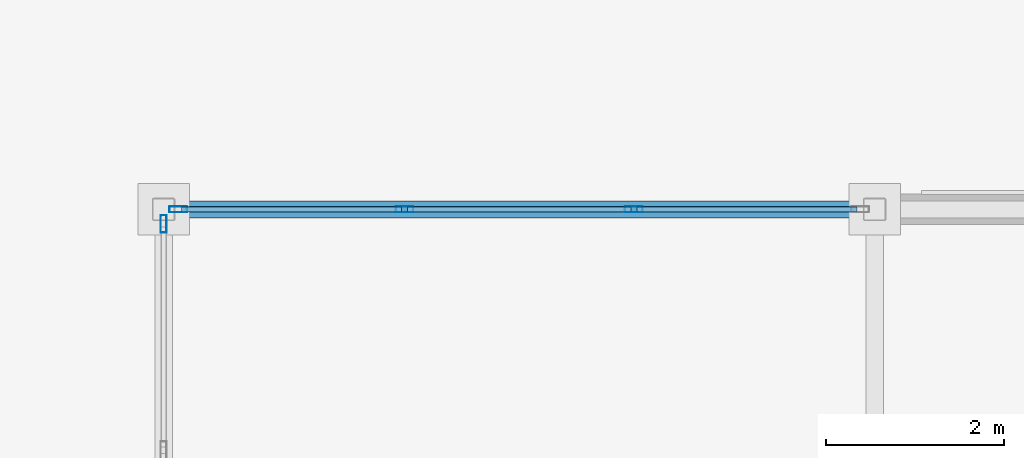
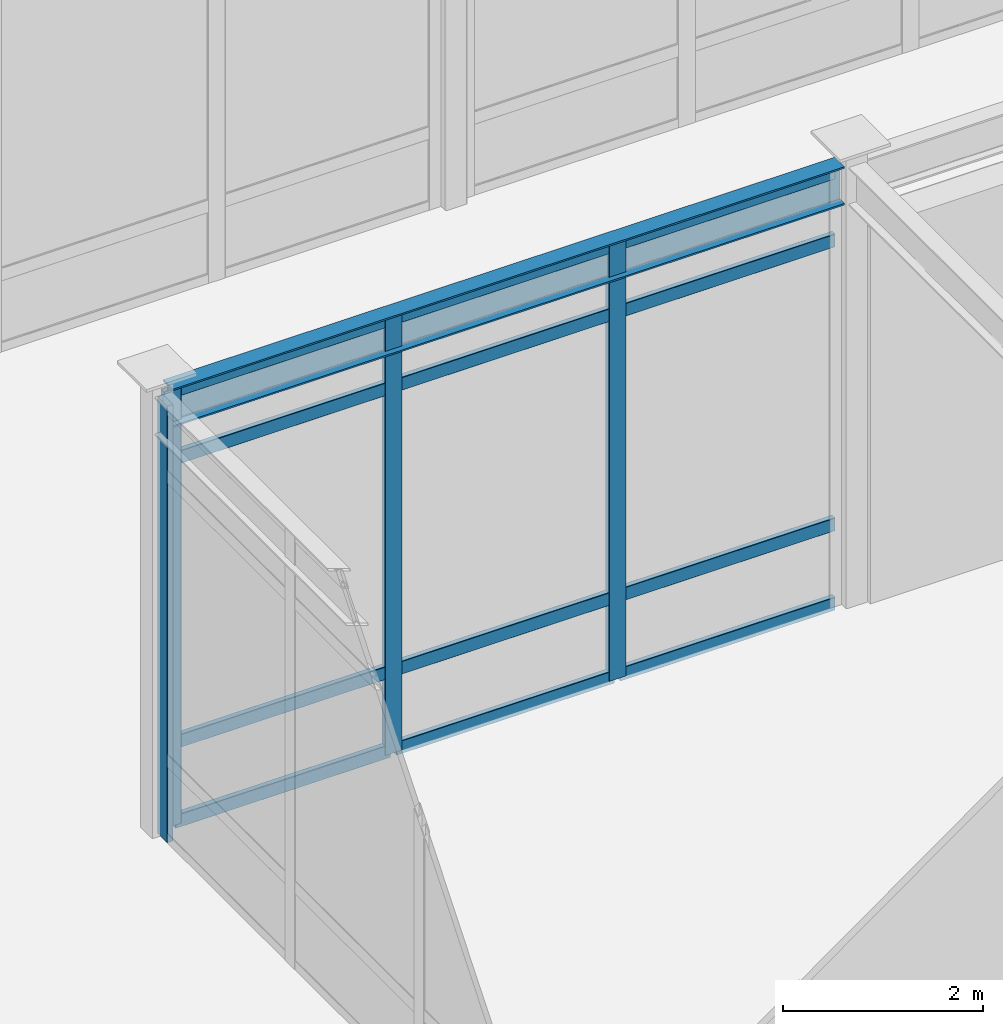
# One storey, part 59 of 128: 16 members, 1 beam, 2 elements without a shape of their own.
"""IFC4 building model written with IfcOpenShell, lengths in metres."""

from ifc_helpers import new_model, si_unit, direction, frame, origin, origin_2d, place, context, subcontext, project, spatial, hollow_rectangle, i_section, extrude, material, material_profile, profile_set, type_object, element, aggregate, save


model = new_model("IFC4")

# Units and contexts
model_context = context("Model", 3, precision=1e-05, world=origin(), true_north=direction((0.0, 1.0)))
body_context = subcontext(model_context, "Body", "Model", "MODEL_VIEW")
ifc_project = project(units=[si_unit("LENGTHUNIT", "METRE"), si_unit("AREAUNIT", "SQUARE_METRE"), si_unit("VOLUMEUNIT", "CUBIC_METRE"), si_unit("PLANEANGLEUNIT", "RADIAN"), si_unit("MASSUNIT", "GRAM", prefix="KILO")], contexts=[model_context])

# Site, building, storey
site_placement = place(None, origin())
site = spatial("IfcSite", under=ifc_project, at=site_placement, CompositionType="ELEMENT")
building_placement = place(site_placement, origin())
building = spatial("IfcBuilding", under=site, at=building_placement, Name="Solmirada Galleria", CompositionType="ELEMENT")
storey_placement = place(building_placement, origin())
storey = spatial("IfcBuildingStorey", under=building, at=storey_placement, Name="L00", CompositionType="ELEMENT", Elevation=0.0)

# Beam
ifc_material_1 = material(Name="Steel S355 / ASTM A992 Grade 50", Category="steel")
ifc_material_profile_1 = material_profile(ifc_material_1, i_section(OverallWidth=0.193115234375, OverallDepth=0.466064453125, WebThickness=0.011474609375, FlangeThickness=0.01904296875, FilletRadius=0.013916015625, at=origin_2d()), Name="W18X65")
ifc_profile_set_1 = profile_set([ifc_material_profile_1], Name="Steel S355 / ASTM A992 Grade 50")
beam_type = type_object("IfcBeamType", Name="BM-GIRD-W18C", PredefinedType="BEAM", material=ifc_profile_set_1)
beam_placement = place(storey_placement, frame((48.126953125, 64.0, 5.139892578125), z_axis=(1.0, 0.0, 0.0), x_axis=(0.0, 1.0, 0.0)))
element("IfcBeam", 1, at=beam_placement, inside=storey, type_object=beam_type, Name="Arcade boutique roof girder BW", PredefinedType="BEAM", context=body_context, shape_type="SweptSolid", body=[
    extrude(i_section(OverallWidth=0.193115234375, OverallDepth=0.466064453125, WebThickness=0.011474609375, FlangeThickness=0.01904296875, FilletRadius=0.013916015625, at=origin_2d()), origin(), (0.0, 0.0, 1.0), 7.74609375),
])

# Curtain wall, member
ifc_material_2 = material(Name="Impact-resistant low-E double glazing", Category="glass")
curtain_wall_type = type_object("IfcCurtainWallType", Name="CW-FZ5-L00-B3-L077", PredefinedType="NOTDEFINED", material=ifc_material_2)
curtain_wall_1_placement = place(storey_placement, origin())
curtain_wall_1 = element("IfcCurtainWall", 2, at=curtain_wall_1_placement, inside=storey, type_object=curtain_wall_type, Name="Terrace and arcade storefront CW-L00-035", PredefinedType="NOTDEFINED")
ifc_material_3 = material(Name="Anodised aluminium framing", Category="aluminium")
ifc_material_profile_2 = material_profile(ifc_material_3, hollow_rectangle(XDim=0.070068359375, YDim=0.199951171875, WallThickness=0.004150390625, InnerFilletRadius=0.004150390625, OuterFilletRadius=0.00830078125, at=origin_2d()), Name="ALU-MULL-200X70")
ifc_profile_set_2 = profile_set([ifc_material_profile_2], Name="Anodised aluminium framing")
member_type_1 = type_object("IfcMemberType", Name="CW-MULL-200", PredefinedType="MULLION", material=ifc_profile_set_2)
member_1_placement = place(storey_placement, frame((48.0, 63.8359375, 0.0), z_axis=(0.0, 0.0, 1.0), x_axis=(-1.0, 0.0, 0.0)))
member_1 = element("IfcMember", 3, at=member_1_placement, type_object=member_type_1, Name="CW08 mullion 4", PredefinedType="MULLION", context=body_context, shape_type="SweptSolid", body=[
    extrude(hollow_rectangle(XDim=0.070068359375, YDim=0.199951171875, WallThickness=0.004150390625, InnerFilletRadius=0.004150390625, OuterFilletRadius=0.00830078125, at=origin_2d()), origin(), (0.0, 0.0, 1.0), 5.320068359375),
])
aggregate(curtain_wall_1, [member_1])

# Curtain wall, members
curtain_wall_2_placement = place(storey_placement, origin())
curtain_wall_2 = element("IfcCurtainWall", 4, at=curtain_wall_2_placement, inside=storey, type_object=curtain_wall_type, Name="Terrace and arcade storefront CW-L00-036", PredefinedType="NOTDEFINED")
member_2_placement = place(storey_placement, frame((48.1640625, 64.0, 0.0), z_axis=(0.0, 0.0, 1.0), x_axis=(0.0, 1.0, 0.0)))
member_2 = element("IfcMember", 5, at=member_2_placement, type_object=member_type_1, Name="CW08 mullion 1", PredefinedType="MULLION", context=body_context, shape_type="SweptSolid", body=[
    extrude(hollow_rectangle(XDim=0.070068359375, YDim=0.199951171875, WallThickness=0.004150390625, InnerFilletRadius=0.004150390625, OuterFilletRadius=0.00830078125, at=origin_2d()), origin(), (0.0, 0.0, 1.0), 5.320068359375),
])
member_3_placement = place(storey_placement, frame((50.709716796875, 64.0, 0.0), z_axis=(0.0, 0.0, 1.0), x_axis=(0.0, 1.0, 0.0)))
member_3 = element("IfcMember", 6, at=member_3_placement, type_object=member_type_1, Name="CW08 mullion 2", PredefinedType="MULLION", context=body_context, shape_type="SweptSolid", body=[
    extrude(hollow_rectangle(XDim=0.070068359375, YDim=0.199951171875, WallThickness=0.004150390625, InnerFilletRadius=0.004150390625, OuterFilletRadius=0.00830078125, at=origin_2d()), origin(), (0.0, 0.0, 1.0), 5.320068359375),
])
member_4_placement = place(storey_placement, frame((53.290283203125, 64.0, 0.0), z_axis=(0.0, 0.0, 1.0), x_axis=(0.0, 1.0, 0.0)))
member_4 = element("IfcMember", 7, at=member_4_placement, type_object=member_type_1, Name="CW08 mullion 3", PredefinedType="MULLION", context=body_context, shape_type="SweptSolid", body=[
    extrude(hollow_rectangle(XDim=0.070068359375, YDim=0.199951171875, WallThickness=0.004150390625, InnerFilletRadius=0.004150390625, OuterFilletRadius=0.00830078125, at=origin_2d()), origin(), (0.0, 0.0, 1.0), 5.320068359375),
])
ifc_material_profile_3 = material_profile(ifc_material_3, hollow_rectangle(XDim=0.06494140625, YDim=0.159912109375, WallThickness=0.00390625, InnerFilletRadius=0.00390625, OuterFilletRadius=0.007568359375, at=origin_2d()), Name="ALU-TRAN-160X65")
ifc_profile_set_3 = profile_set([ifc_material_profile_3], Name="Anodised aluminium framing")
member_type_2 = type_object("IfcMemberType", Name="CW-TRAN-160", PredefinedType="USERDEFINED", material=ifc_profile_set_3)
member_5_placement = place(storey_placement, frame((48.198974609375, 64.0, 0.032470703125), z_axis=(1.0, 0.0, 0.0), x_axis=(0.0, 1.0, 0.0)))
member_5 = element("IfcMember", 8, at=member_5_placement, type_object=member_type_2, Name="CW08 transom 1.1", ObjectType="TRANSOM", PredefinedType="USERDEFINED", context=body_context, shape_type="SweptSolid", body=[
    extrude(hollow_rectangle(XDim=0.06494140625, YDim=0.159912109375, WallThickness=0.00390625, InnerFilletRadius=0.00390625, OuterFilletRadius=0.007568359375, at=origin_2d()), origin(), (0.0, 0.0, 1.0), 2.4755859375),
])
member_6_placement = place(storey_placement, frame((48.198974609375, 64.0, 1.0), z_axis=(1.0, 0.0, 0.0), x_axis=(0.0, 1.0, 0.0)))
member_6 = element("IfcMember", 9, at=member_6_placement, type_object=member_type_2, Name="CW08 transom 1.2", ObjectType="TRANSOM", PredefinedType="USERDEFINED", context=body_context, shape_type="SweptSolid", body=[
    extrude(hollow_rectangle(XDim=0.06494140625, YDim=0.159912109375, WallThickness=0.00390625, InnerFilletRadius=0.00390625, OuterFilletRadius=0.007568359375, at=origin_2d()), origin(), (0.0, 0.0, 1.0), 2.4755859375),
])
member_7_placement = place(storey_placement, frame((48.198974609375, 64.0, 4.4599609375), z_axis=(1.0, 0.0, 0.0), x_axis=(0.0, 1.0, 0.0)))
member_7 = element("IfcMember", 10, at=member_7_placement, type_object=member_type_2, Name="CW08 transom 1.3", ObjectType="TRANSOM", PredefinedType="USERDEFINED", context=body_context, shape_type="SweptSolid", body=[
    extrude(hollow_rectangle(XDim=0.06494140625, YDim=0.159912109375, WallThickness=0.00390625, InnerFilletRadius=0.00390625, OuterFilletRadius=0.007568359375, at=origin_2d()), origin(), (0.0, 0.0, 1.0), 2.4755859375),
])
member_8_placement = place(storey_placement, frame((48.198974609375, 64.0, 5.28759765625), z_axis=(1.0, 0.0, 0.0), x_axis=(0.0, 1.0, 0.0)))
member_8 = element("IfcMember", 11, at=member_8_placement, type_object=member_type_2, Name="CW08 transom 1.4", ObjectType="TRANSOM", PredefinedType="USERDEFINED", context=body_context, shape_type="SweptSolid", body=[
    extrude(hollow_rectangle(XDim=0.06494140625, YDim=0.159912109375, WallThickness=0.00390625, InnerFilletRadius=0.00390625, OuterFilletRadius=0.007568359375, at=origin_2d()), origin(), (0.0, 0.0, 1.0), 2.4755859375),
])
member_9_placement = place(storey_placement, frame((50.74462890625, 64.0, 0.032470703125), z_axis=(1.0, 0.0, 0.0), x_axis=(0.0, 1.0, 0.0)))
member_9 = element("IfcMember", 12, at=member_9_placement, type_object=member_type_2, Name="CW08 transom 2.1", ObjectType="TRANSOM", PredefinedType="USERDEFINED", context=body_context, shape_type="SweptSolid", body=[
    extrude(hollow_rectangle(XDim=0.06494140625, YDim=0.159912109375, WallThickness=0.00390625, InnerFilletRadius=0.00390625, OuterFilletRadius=0.007568359375, at=origin_2d()), origin(), (0.0, 0.0, 1.0), 2.5107421875),
])
member_10_placement = place(storey_placement, frame((50.74462890625, 64.0, 1.0), z_axis=(1.0, 0.0, 0.0), x_axis=(0.0, 1.0, 0.0)))
member_10 = element("IfcMember", 13, at=member_10_placement, type_object=member_type_2, Name="CW08 transom 2.2", ObjectType="TRANSOM", PredefinedType="USERDEFINED", context=body_context, shape_type="SweptSolid", body=[
    extrude(hollow_rectangle(XDim=0.06494140625, YDim=0.159912109375, WallThickness=0.00390625, InnerFilletRadius=0.00390625, OuterFilletRadius=0.007568359375, at=origin_2d()), origin(), (0.0, 0.0, 1.0), 2.5107421875),
])
member_11_placement = place(storey_placement, frame((50.74462890625, 64.0, 4.4599609375), z_axis=(1.0, 0.0, 0.0), x_axis=(0.0, 1.0, 0.0)))
member_11 = element("IfcMember", 14, at=member_11_placement, type_object=member_type_2, Name="CW08 transom 2.3", ObjectType="TRANSOM", PredefinedType="USERDEFINED", context=body_context, shape_type="SweptSolid", body=[
    extrude(hollow_rectangle(XDim=0.06494140625, YDim=0.159912109375, WallThickness=0.00390625, InnerFilletRadius=0.00390625, OuterFilletRadius=0.007568359375, at=origin_2d()), origin(), (0.0, 0.0, 1.0), 2.5107421875),
])
member_12_placement = place(storey_placement, frame((50.74462890625, 64.0, 5.28759765625), z_axis=(1.0, 0.0, 0.0), x_axis=(0.0, 1.0, 0.0)))
member_12 = element("IfcMember", 15, at=member_12_placement, type_object=member_type_2, Name="CW08 transom 2.4", ObjectType="TRANSOM", PredefinedType="USERDEFINED", context=body_context, shape_type="SweptSolid", body=[
    extrude(hollow_rectangle(XDim=0.06494140625, YDim=0.159912109375, WallThickness=0.00390625, InnerFilletRadius=0.00390625, OuterFilletRadius=0.007568359375, at=origin_2d()), origin(), (0.0, 0.0, 1.0), 2.5107421875),
])
member_13_placement = place(storey_placement, frame((53.325439453125, 64.0, 0.032470703125), z_axis=(1.0, 0.0, 0.0), x_axis=(0.0, 1.0, 0.0)))
member_13 = element("IfcMember", 16, at=member_13_placement, type_object=member_type_2, Name="CW08 transom 3.1", ObjectType="TRANSOM", PredefinedType="USERDEFINED", context=body_context, shape_type="SweptSolid", body=[
    extrude(hollow_rectangle(XDim=0.06494140625, YDim=0.159912109375, WallThickness=0.00390625, InnerFilletRadius=0.00390625, OuterFilletRadius=0.007568359375, at=origin_2d()), origin(), (0.0, 0.0, 1.0), 2.4755859375),
])
member_14_placement = place(storey_placement, frame((53.325439453125, 64.0, 1.0), z_axis=(1.0, 0.0, 0.0), x_axis=(0.0, 1.0, 0.0)))
member_14 = element("IfcMember", 17, at=member_14_placement, type_object=member_type_2, Name="CW08 transom 3.2", ObjectType="TRANSOM", PredefinedType="USERDEFINED", context=body_context, shape_type="SweptSolid", body=[
    extrude(hollow_rectangle(XDim=0.06494140625, YDim=0.159912109375, WallThickness=0.00390625, InnerFilletRadius=0.00390625, OuterFilletRadius=0.007568359375, at=origin_2d()), origin(), (0.0, 0.0, 1.0), 2.4755859375),
])
member_15_placement = place(storey_placement, frame((53.325439453125, 64.0, 4.4599609375), z_axis=(1.0, 0.0, 0.0), x_axis=(0.0, 1.0, 0.0)))
member_15 = element("IfcMember", 18, at=member_15_placement, type_object=member_type_2, Name="CW08 transom 3.3", ObjectType="TRANSOM", PredefinedType="USERDEFINED", context=body_context, shape_type="SweptSolid", body=[
    extrude(hollow_rectangle(XDim=0.06494140625, YDim=0.159912109375, WallThickness=0.00390625, InnerFilletRadius=0.00390625, OuterFilletRadius=0.007568359375, at=origin_2d()), origin(), (0.0, 0.0, 1.0), 2.4755859375),
])
member_16_placement = place(storey_placement, frame((53.325439453125, 64.0, 5.28759765625), z_axis=(1.0, 0.0, 0.0), x_axis=(0.0, 1.0, 0.0)))
member_16 = element("IfcMember", 19, at=member_16_placement, type_object=member_type_2, Name="CW08 transom 3.4", ObjectType="TRANSOM", PredefinedType="USERDEFINED", context=body_context, shape_type="SweptSolid", body=[
    extrude(hollow_rectangle(XDim=0.06494140625, YDim=0.159912109375, WallThickness=0.00390625, InnerFilletRadius=0.00390625, OuterFilletRadius=0.007568359375, at=origin_2d()), origin(), (0.0, 0.0, 1.0), 2.4755859375),
])
aggregate(curtain_wall_2, [member_2, member_3, member_4, member_5, member_6, member_7, member_8, member_9, member_10, member_11, member_12, member_13, member_14, member_15, member_16])

save(model, "model.ifc")
